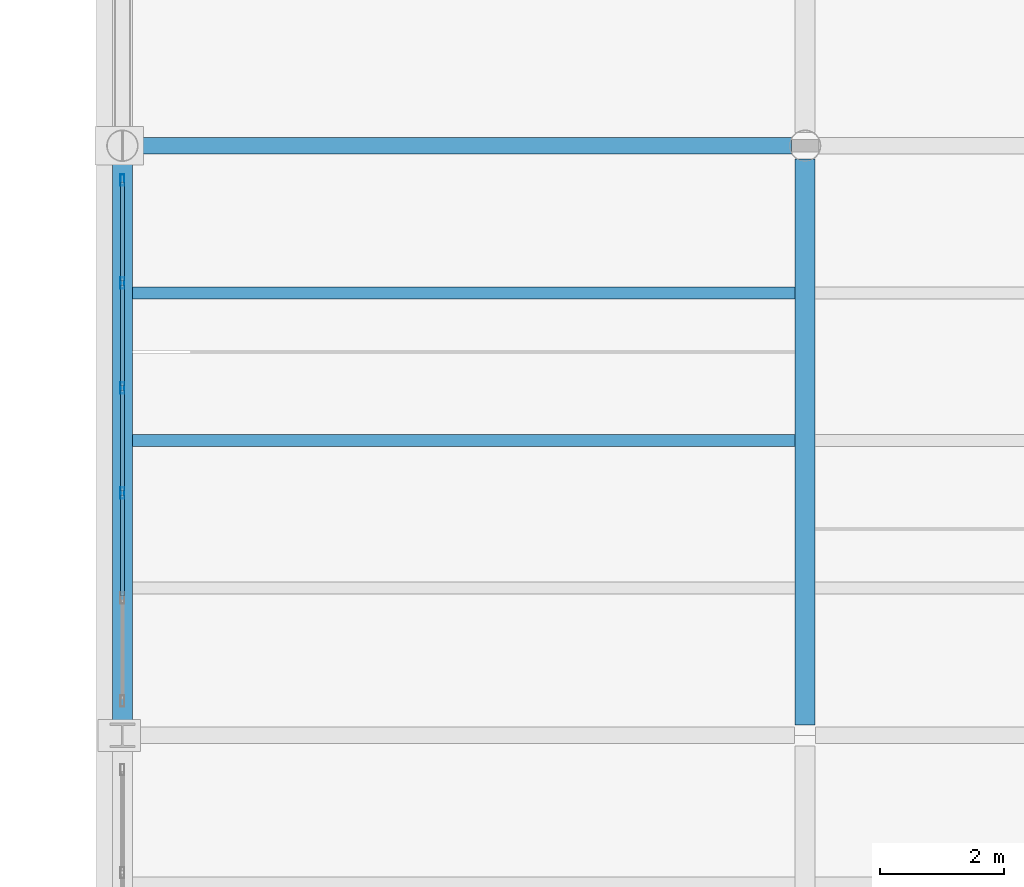
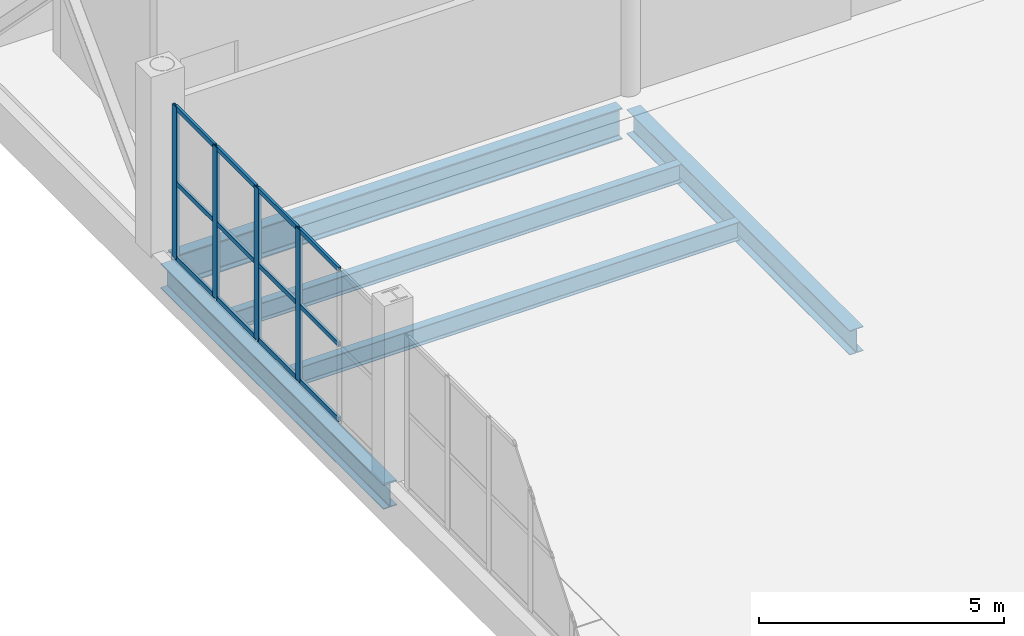
# One storey, part 24 of 156: 16 members, 5 beams, 1 element without a shape of its own.
"""IFC4 building model written with IfcOpenShell, lengths in metres."""

from ifc_helpers import new_model, si_unit, direction, frame, origin, origin_2d, place, context, subcontext, project, spatial, hollow_rectangle, i_section, extrude, material, material_profile, profile_set, type_object, element, aggregate, save


model = new_model("IFC4")

# Units and contexts
model_context = context("Model", 3, precision=1e-05, world=origin(), true_north=direction((0.0, 1.0)))
body_context = subcontext(model_context, "Body", "Model", "MODEL_VIEW")
ifc_project = project(units=[si_unit("LENGTHUNIT", "METRE"), si_unit("AREAUNIT", "SQUARE_METRE"), si_unit("VOLUMEUNIT", "CUBIC_METRE"), si_unit("PLANEANGLEUNIT", "RADIAN"), si_unit("MASSUNIT", "GRAM", prefix="KILO")], contexts=[model_context])

# Site, building, storey
site_placement = place(None, origin())
site = spatial("IfcSite", under=ifc_project, at=site_placement, CompositionType="ELEMENT")
building_placement = place(site_placement, origin())
building = spatial("IfcBuilding", under=site, at=building_placement, Name="Caurita Quay Ferry Terminal", CompositionType="ELEMENT")
storey_placement = place(building_placement, frame((0.0, 0.0, 5.39990234375)))
storey = spatial("IfcBuildingStorey", under=building, at=storey_placement, Name="L01", CompositionType="ELEMENT", Elevation=5.39990234375)

# Beams
ifc_material_1 = material(Name="Structural steel ASTM A992 Gr. 50", Category="steel")
ifc_material_profile_1 = material_profile(ifc_material_1, i_section(OverallWidth=0.3251953125, OverallDepth=0.612060546875, WebThickness=0.0126953125, FlangeThickness=0.01904296875, FilletRadius=0.01513671875, at=origin_2d()), Name="W24X104")
ifc_profile_set_1 = profile_set([ifc_material_profile_1], Name="Structural steel ASTM A992 Gr. 50")
beam_type_1 = type_object("IfcBeamType", Name="BM-GR-W24A", PredefinedType="BEAM", material=ifc_profile_set_1)
beam_1_placement = place(storey_placement, frame((0.0, 53.377197265625, -0.60595703125), z_axis=(0.0, 1.0, 0.0), x_axis=(-1.0, 0.0, 0.0)))
element("IfcBeam", 1, at=beam_1_placement, inside=storey, type_object=beam_type_1, Name="L01 Beam BM-V1-L01-Y-0-534", PredefinedType="BEAM", context=body_context, shape_type="SweptSolid", body=[
    extrude(i_section(OverallWidth=0.3251953125, OverallDepth=0.612060546875, WebThickness=0.0126953125, FlangeThickness=0.01904296875, FilletRadius=0.01513671875, at=origin_2d()), origin(), (0.0, 0.0, 1.0), 9.10693359375),
])
beam_2_placement = place(storey_placement, frame((11.0, 53.36962890625, -0.60595703125), z_axis=(0.0, 1.0, 0.0), x_axis=(-1.0, 0.0, 0.0)))
element("IfcBeam", 2, at=beam_2_placement, inside=storey, type_object=beam_type_1, Name="L01 Beam BM-V1-L01-Y-110-534", PredefinedType="BEAM", context=body_context, shape_type="SweptSolid", body=[
    extrude(i_section(OverallWidth=0.3251953125, OverallDepth=0.612060546875, WebThickness=0.0126953125, FlangeThickness=0.01904296875, FilletRadius=0.01513671875, at=origin_2d()), origin(), (0.0, 0.0, 1.0), 9.114501953125),
])
ifc_material_profile_2 = material_profile(ifc_material_1, i_section(OverallWidth=0.2666015625, OverallDepth=0.77978515625, WebThickness=0.0166015625, FlangeThickness=0.030029296875, FilletRadius=0.01904296875, at=origin_2d()), Name="W30X148")
ifc_profile_set_2 = profile_set([ifc_material_profile_2], Name="Structural steel ASTM A992 Gr. 50")
beam_type_2 = type_object("IfcBeamType", Name="BM-GR-W30A", PredefinedType="BEAM", material=ifc_profile_set_2)
beam_3_placement = place(storey_placement, frame((0.2158203125, 62.699951171875, -0.689697265625), z_axis=(1.0, 0.0, 0.0), x_axis=(0.0, 1.0, 0.0)))
element("IfcBeam", 3, at=beam_3_placement, inside=storey, type_object=beam_type_2, Name="L01 Beam BM-V1-L01-X-2-627", PredefinedType="BEAM", context=body_context, shape_type="SweptSolid", body=[
    extrude(i_section(OverallWidth=0.2666015625, OverallDepth=0.77978515625, WebThickness=0.0166015625, FlangeThickness=0.030029296875, FilletRadius=0.01904296875, at=origin_2d()), origin(), (0.0, 0.0, 1.0), 10.568359375),
])
ifc_material_profile_3 = material_profile(ifc_material_1, i_section(OverallWidth=0.1904296875, OverallDepth=0.457275390625, WebThickness=0.009033203125, FlangeThickness=0.014404296875, FilletRadius=0.0126953125, at=origin_2d()), Name="W18X50")
ifc_profile_set_3 = profile_set([ifc_material_profile_3], Name="Structural steel ASTM A992 Gr. 50")
beam_type_3 = type_object("IfcBeamType", Name="BM-JS-W18B", PredefinedType="JOIST", material=ifc_profile_set_3)
for number, where, z_axis, x_axis, name in (
    (4, (0.16259765625, 57.949951171875, -0.528564453125), (1.0, 0.0, 0.0), (0.0, 1.0, 0.0), "L01 Beam JS-V1-L01-008"),
    (5, (0.16259765625, 60.324951171875, -0.528564453125), (1.0, 0.0, 0.0), (0.0, 1.0, 0.0), "L01 Beam JS-V1-L01-009"),
):
    element("IfcBeam", number, at=place(storey_placement, frame(where, z_axis=z_axis, x_axis=x_axis)), inside=storey, type_object=beam_type_3, Name=name, PredefinedType="JOIST", context=body_context, shape_type="SweptSolid", body=[
        extrude(i_section(OverallWidth=0.1904296875, OverallDepth=0.457275390625, WebThickness=0.009033203125, FlangeThickness=0.014404296875, FilletRadius=0.0126953125, at=origin_2d()), origin(), (0.0, 0.0, 1.0), 10.6748046875),
    ])

# Curtain wall, members
ifc_material_2 = material(Name="Laminated solar-control insulated glass", Category="glass")
curtain_wall_type = type_object("IfcCurtainWallType", Name="CW-SYS-12", PredefinedType="NOTDEFINED", material=ifc_material_2)
curtain_wall_placement = place(storey_placement, origin())
curtain_wall = element("IfcCurtainWall", 6, at=curtain_wall_placement, inside=storey, type_object=curtain_wall_type, Name="Concourse Gable Curtain Wall 079", PredefinedType="NOTDEFINED")
ifc_material_3 = material(Name="Anodized aluminium 6063-T6", Category="aluminium")
ifc_material_profile_4 = material_profile(ifc_material_3, hollow_rectangle(XDim=0.06494140625, YDim=0.179931640625, WallThickness=0.00390625, at=origin_2d()), Name="ALU-MUL-65X180")
ifc_profile_set_4 = profile_set([ifc_material_profile_4], Name="Anodized aluminium 6063-T6")
member_type_1 = type_object("IfcMemberType", Name="CW-MUL-180", PredefinedType="MULLION", material=ifc_profile_set_4)
member_1_placement = place(storey_placement, frame((0.0, 57.10400390625, 0.0), z_axis=(0.0, 0.0, 1.0), x_axis=(-1.0, 0.0, 0.0)))
member_1 = element("IfcMember", 7, at=member_1_placement, type_object=member_type_1, Name="CW-GBL-079 Mullion 3", PredefinedType="MULLION", context=body_context, shape_type="SweptSolid", body=[
    extrude(hollow_rectangle(XDim=0.06494140625, YDim=0.179931640625, WallThickness=0.00390625, at=origin_2d()), origin(), (0.0, 0.0, 1.0), 3.800048828125),
])
member_2_placement = place(storey_placement, frame((0.0, 58.7958984375, 0.0), z_axis=(0.0, 0.0, 1.0), x_axis=(-1.0, 0.0, 0.0)))
member_2 = element("IfcMember", 8, at=member_2_placement, type_object=member_type_1, Name="CW-GBL-079 Mullion 4", PredefinedType="MULLION", context=body_context, shape_type="SweptSolid", body=[
    extrude(hollow_rectangle(XDim=0.06494140625, YDim=0.179931640625, WallThickness=0.00390625, at=origin_2d()), origin(), (0.0, 0.0, 1.0), 3.800048828125),
])
member_3_placement = place(storey_placement, frame((0.0, 60.488037109375, 0.0), z_axis=(0.0, 0.0, 1.0), x_axis=(-1.0, 0.0, 0.0)))
member_3 = element("IfcMember", 9, at=member_3_placement, type_object=member_type_1, Name="CW-GBL-079 Mullion 5", PredefinedType="MULLION", context=body_context, shape_type="SweptSolid", body=[
    extrude(hollow_rectangle(XDim=0.06494140625, YDim=0.179931640625, WallThickness=0.00390625, at=origin_2d()), origin(), (0.0, 0.0, 1.0), 3.800048828125),
])
member_4_placement = place(storey_placement, frame((0.0, 62.1474609375, 0.0), z_axis=(0.0, 0.0, 1.0), x_axis=(-1.0, 0.0, 0.0)))
member_4 = element("IfcMember", 10, at=member_4_placement, type_object=member_type_1, Name="CW-GBL-079 Mullion 6", PredefinedType="MULLION", context=body_context, shape_type="SweptSolid", body=[
    extrude(hollow_rectangle(XDim=0.06494140625, YDim=0.179931640625, WallThickness=0.00390625, at=origin_2d()), origin(), (0.0, 0.0, 1.0), 3.800048828125),
])
ifc_material_profile_5 = material_profile(ifc_material_3, hollow_rectangle(XDim=0.06005859375, YDim=0.114990234375, WallThickness=0.00341796875, at=origin_2d()), Name="ALU-TRN-60X115")
ifc_profile_set_5 = profile_set([ifc_material_profile_5], Name="Anodized aluminium 6063-T6")
member_type_2 = type_object("IfcMemberType", Name="CW-TRN-115", PredefinedType="USERDEFINED", material=ifc_profile_set_5)
member_5_placement = place(storey_placement, frame((0.0, 55.4423828125, 0.030029296875), z_axis=(0.0, 1.0, 0.0), x_axis=(-1.0, 0.0, 0.0)))
member_5 = element("IfcMember", 11, at=member_5_placement, type_object=member_type_2, Name="CW-GBL-079 Transom 4", ObjectType="TRANSOM", PredefinedType="USERDEFINED", context=body_context, shape_type="SweptSolid", body=[
    extrude(hollow_rectangle(XDim=0.06005859375, YDim=0.114990234375, WallThickness=0.00341796875, at=origin_2d()), origin(), (0.0, 0.0, 1.0), 1.631103515625),
])
member_6_placement = place(storey_placement, frame((0.0, 55.4423828125, 1.900146484375), z_axis=(0.0, 1.0, 0.0), x_axis=(-1.0, 0.0, 0.0)))
member_6 = element("IfcMember", 12, at=member_6_placement, type_object=member_type_2, Name="CW-GBL-079 Transom 5", ObjectType="TRANSOM", PredefinedType="USERDEFINED", context=body_context, shape_type="SweptSolid", body=[
    extrude(hollow_rectangle(XDim=0.06005859375, YDim=0.114990234375, WallThickness=0.00341796875, at=origin_2d()), origin(), (0.0, 0.0, 1.0), 1.631103515625),
])
member_7_placement = place(storey_placement, frame((0.0, 55.4423828125, 3.77001953125), z_axis=(0.0, 1.0, 0.0), x_axis=(-1.0, 0.0, 0.0)))
member_7 = element("IfcMember", 13, at=member_7_placement, type_object=member_type_2, Name="CW-GBL-079 Transom 6", ObjectType="TRANSOM", PredefinedType="USERDEFINED", context=body_context, shape_type="SweptSolid", body=[
    extrude(hollow_rectangle(XDim=0.06005859375, YDim=0.114990234375, WallThickness=0.00341796875, at=origin_2d()), origin(), (0.0, 0.0, 1.0), 1.631103515625),
])
member_8_placement = place(storey_placement, frame((0.0, 57.134521484375, 0.030029296875), z_axis=(0.0, 1.0, 0.0), x_axis=(-1.0, 0.0, 0.0)))
member_8 = element("IfcMember", 14, at=member_8_placement, type_object=member_type_2, Name="CW-GBL-079 Transom 7", ObjectType="TRANSOM", PredefinedType="USERDEFINED", context=body_context, shape_type="SweptSolid", body=[
    extrude(hollow_rectangle(XDim=0.06005859375, YDim=0.114990234375, WallThickness=0.00341796875, at=origin_2d()), origin(), (0.0, 0.0, 1.0), 1.630859375),
])
member_9_placement = place(storey_placement, frame((0.0, 57.134521484375, 1.900146484375), z_axis=(0.0, 1.0, 0.0), x_axis=(-1.0, 0.0, 0.0)))
member_9 = element("IfcMember", 15, at=member_9_placement, type_object=member_type_2, Name="CW-GBL-079 Transom 8", ObjectType="TRANSOM", PredefinedType="USERDEFINED", context=body_context, shape_type="SweptSolid", body=[
    extrude(hollow_rectangle(XDim=0.06005859375, YDim=0.114990234375, WallThickness=0.00341796875, at=origin_2d()), origin(), (0.0, 0.0, 1.0), 1.630859375),
])
member_10_placement = place(storey_placement, frame((0.0, 57.134521484375, 3.77001953125), z_axis=(0.0, 1.0, 0.0), x_axis=(-1.0, 0.0, 0.0)))
member_10 = element("IfcMember", 16, at=member_10_placement, type_object=member_type_2, Name="CW-GBL-079 Transom 9", ObjectType="TRANSOM", PredefinedType="USERDEFINED", context=body_context, shape_type="SweptSolid", body=[
    extrude(hollow_rectangle(XDim=0.06005859375, YDim=0.114990234375, WallThickness=0.00341796875, at=origin_2d()), origin(), (0.0, 0.0, 1.0), 1.630859375),
])
member_11_placement = place(storey_placement, frame((0.0, 58.826416015625, 0.030029296875), z_axis=(0.0, 1.0, 0.0), x_axis=(-1.0, 0.0, 0.0)))
member_11 = element("IfcMember", 17, at=member_11_placement, type_object=member_type_2, Name="CW-GBL-079 Transom 10", ObjectType="TRANSOM", PredefinedType="USERDEFINED", context=body_context, shape_type="SweptSolid", body=[
    extrude(hollow_rectangle(XDim=0.06005859375, YDim=0.114990234375, WallThickness=0.00341796875, at=origin_2d()), origin(), (0.0, 0.0, 1.0), 1.631103515625),
])
member_12_placement = place(storey_placement, frame((0.0, 58.826416015625, 1.900146484375), z_axis=(0.0, 1.0, 0.0), x_axis=(-1.0, 0.0, 0.0)))
member_12 = element("IfcMember", 18, at=member_12_placement, type_object=member_type_2, Name="CW-GBL-079 Transom 11", ObjectType="TRANSOM", PredefinedType="USERDEFINED", context=body_context, shape_type="SweptSolid", body=[
    extrude(hollow_rectangle(XDim=0.06005859375, YDim=0.114990234375, WallThickness=0.00341796875, at=origin_2d()), origin(), (0.0, 0.0, 1.0), 1.631103515625),
])
member_13_placement = place(storey_placement, frame((0.0, 58.826416015625, 3.77001953125), z_axis=(0.0, 1.0, 0.0), x_axis=(-1.0, 0.0, 0.0)))
member_13 = element("IfcMember", 19, at=member_13_placement, type_object=member_type_2, Name="CW-GBL-079 Transom 12", ObjectType="TRANSOM", PredefinedType="USERDEFINED", context=body_context, shape_type="SweptSolid", body=[
    extrude(hollow_rectangle(XDim=0.06005859375, YDim=0.114990234375, WallThickness=0.00341796875, at=origin_2d()), origin(), (0.0, 0.0, 1.0), 1.631103515625),
])
member_14_placement = place(storey_placement, frame((0.0, 60.5185546875, 0.030029296875), z_axis=(0.0, 1.0, 0.0), x_axis=(-1.0, 0.0, 0.0)))
member_14 = element("IfcMember", 20, at=member_14_placement, type_object=member_type_2, Name="CW-GBL-079 Transom 13", ObjectType="TRANSOM", PredefinedType="USERDEFINED", context=body_context, shape_type="SweptSolid", body=[
    extrude(hollow_rectangle(XDim=0.06005859375, YDim=0.114990234375, WallThickness=0.00341796875, at=origin_2d()), origin(), (0.0, 0.0, 1.0), 1.598388671875),
])
member_15_placement = place(storey_placement, frame((0.0, 60.5185546875, 1.900146484375), z_axis=(0.0, 1.0, 0.0), x_axis=(-1.0, 0.0, 0.0)))
member_15 = element("IfcMember", 21, at=member_15_placement, type_object=member_type_2, Name="CW-GBL-079 Transom 14", ObjectType="TRANSOM", PredefinedType="USERDEFINED", context=body_context, shape_type="SweptSolid", body=[
    extrude(hollow_rectangle(XDim=0.06005859375, YDim=0.114990234375, WallThickness=0.00341796875, at=origin_2d()), origin(), (0.0, 0.0, 1.0), 1.598388671875),
])
member_16_placement = place(storey_placement, frame((0.0, 60.5185546875, 3.77001953125), z_axis=(0.0, 1.0, 0.0), x_axis=(-1.0, 0.0, 0.0)))
member_16 = element("IfcMember", 22, at=member_16_placement, type_object=member_type_2, Name="CW-GBL-079 Transom 15", ObjectType="TRANSOM", PredefinedType="USERDEFINED", context=body_context, shape_type="SweptSolid", body=[
    extrude(hollow_rectangle(XDim=0.06005859375, YDim=0.114990234375, WallThickness=0.00341796875, at=origin_2d()), origin(), (0.0, 0.0, 1.0), 1.598388671875),
])
aggregate(curtain_wall, [member_1, member_2, member_3, member_4, member_5, member_6, member_7, member_8, member_9, member_10, member_11, member_12, member_13, member_14, member_15, member_16])

save(model, "model.ifc")
